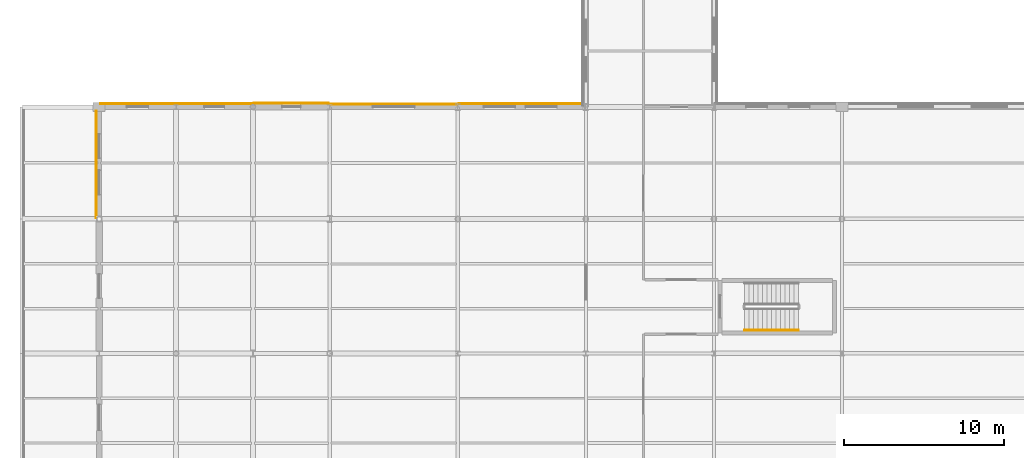
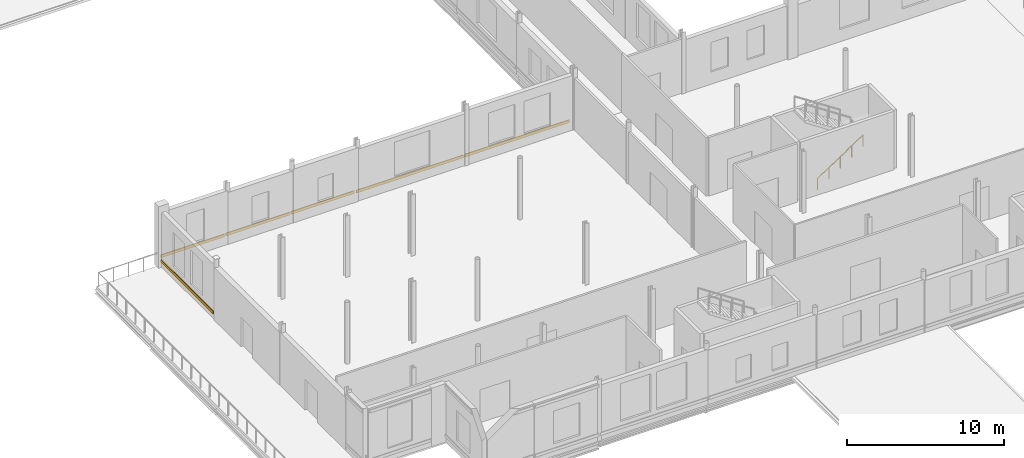
# One storey, part 111 of 120: 6 coverings, 1 railing.
"""IFC4 building model written with IfcOpenShell, lengths in metres."""

from ifc_helpers import new_model, si_unit, direction, frame, origin, origin_2d, place, context, subcontext, project, spatial, rectangle, circle, extrude, material, layer, layer_set, type_object, element, save


model = new_model("IFC4")

# Units and contexts
model_context = context("Model", 3, precision=1e-05, world=origin(), true_north=direction((0.0, 1.0)))
body_context = subcontext(model_context, "Body", "Model", "MODEL_VIEW")
ifc_project = project(units=[si_unit("LENGTHUNIT", "METRE"), si_unit("AREAUNIT", "SQUARE_METRE"), si_unit("VOLUMEUNIT", "CUBIC_METRE"), si_unit("PLANEANGLEUNIT", "RADIAN"), si_unit("MASSUNIT", "GRAM", prefix="KILO")], contexts=[model_context])

# Site, building, storey
site_placement = place(None, origin())
site = spatial("IfcSite", under=ifc_project, at=site_placement, CompositionType="ELEMENT")
building_placement = place(site_placement, origin())
building = spatial("IfcBuilding", under=site, at=building_placement, Name="Vekula Escarpment Museum", CompositionType="ELEMENT")
storey_placement = place(building_placement, frame((0.0, 0.0, 13.199951171875)))
storey = spatial("IfcBuildingStorey", under=building, at=storey_placement, Name="L03", CompositionType="ELEMENT", Elevation=13.199951171875)

# Coverings
ifc_material_1 = material(Name="Polychrome limestone almasik string-course band", Category="masonry")
ifc_layer = layer(ifc_material_1, 0.06005859375)
ifc_layer_set = layer_set([ifc_layer], Name="Polychrome limestone almasik string-course band")
covering_type = type_object("IfcCoveringType", Name="COV-ALM-BAND", PredefinedType="CLADDING", material=ifc_layer_set)
covering_1_placement = place(storey_placement, frame((35.910400390625, 83.5859375, 0.41015625), z_axis=(0.0, 0.0, 1.0), x_axis=(1.0, 0.0, 0.0)))
element("IfcCovering", 1, at=covering_1_placement, inside=storey, type_object=covering_type, Name="Almasik Stone String Course L03-0565", PredefinedType="CLADDING", context=body_context, shape_type="SweptSolid", body=[
    extrude(rectangle(XDim=7.700927734375, YDim=0.06005859375, at=origin_2d()), origin(), (0.0, 0.0, 1.0), 0.219970703125),
])
covering_2_placement = place(storey_placement, frame((28.0, 83.575927734375, 0.41015625), z_axis=(0.0, 0.0, 1.0), x_axis=(1.0, 0.0, 0.0)))
element("IfcCovering", 2, at=covering_2_placement, inside=storey, type_object=covering_type, Name="Almasik Stone String Course L03-0566", PredefinedType="CLADDING", context=body_context, shape_type="SweptSolid", body=[
    extrude(rectangle(XDim=7.8798828125, YDim=0.06005859375, at=origin_2d()), origin(), (0.0, 0.0, 1.0), 0.219970703125),
])
for number, where, z_axis, x_axis, name in (
    (3, (21.60009765625, 83.615966796875, 0.41015625), (0.0, 0.0, 1.0), (1.0, 0.0, 0.0), "Almasik Stone String Course L03-0567"),
    (4, (16.800048828125, 83.60107421875, 0.41015625), (0.0, 0.0, 1.0), (1.0, 0.0, 0.0), "Almasik Stone String Course L03-0568"),
    (5, (12.0, 83.5859375, 0.41015625), (0.0, 0.0, 1.0), (1.0, 0.0, 0.0), "Almasik Stone String Course L03-0569"),
):
    element("IfcCovering", number, at=place(storey_placement, frame(where, z_axis=z_axis, x_axis=x_axis)), inside=storey, type_object=covering_type, Name=name, PredefinedType="CLADDING", context=body_context, shape_type="SweptSolid", body=[
        extrude(rectangle(XDim=4.679931640625, YDim=0.06005859375, at=origin_2d()), origin(), (0.0, 0.0, 1.0), 0.219970703125),
    ])
covering_3_placement = place(storey_placement, frame((9.424072265625, 79.818115234375, 0.41015625), z_axis=(0.0, 0.0, 1.0), x_axis=(0.0, 1.0, 0.0)))
element("IfcCovering", 6, at=covering_3_placement, inside=storey, type_object=covering_type, Name="Almasik Stone String Course L03-0570", PredefinedType="CLADDING", context=body_context, shape_type="SweptSolid", body=[
    extrude(rectangle(XDim=6.716064453125, YDim=0.06005859375, at=origin_2d()), origin(), (0.0, 0.0, 1.0), 0.219970703125),
])

# Railing
ifc_material_2 = material(Name="Brushed stainless steel handrail", Category="steel")
railing_type = type_object("IfcRailingType", Name="RL-STAIR-HAND", PredefinedType="HANDRAIL", material=ifc_material_2)
railing_placement = place(storey_placement, frame((49.919921875, 69.449951171875, 0.1845703125)))
element("IfcRailing", 7, at=railing_placement, inside=storey, type_object=railing_type, Name="L03 ST-10 stair handrail 1", PredefinedType="HANDRAIL", context=body_context, shape_type="SweptSolid", body=[
    extrude(circle(Radius=0.02392578125, at=origin_2d()), frame((0.0, 0.0, 0.8759765625), z_axis=(0.834848600103, 0.0, 0.550479622607), x_axis=(0.0, 1.0, 0.0)), (0.0, 0.0, 1.0), 4.02490234375),
    extrude(circle(Radius=0.02099609375, at=origin_2d()), origin(), (0.0, 0.0, 1.0), 0.851806640625),
    extrude(circle(Radius=0.02099609375, at=origin_2d()), frame((0.840087890625, 0.0, 0.553955078125)), (0.0, 0.0, 1.0), 0.851806640625),
    extrude(circle(Radius=0.02099609375, at=origin_2d()), frame((1.68017578125, 0.0, 1.10791015625)), (0.0, 0.0, 1.0), 0.851806640625),
    extrude(circle(Radius=0.02099609375, at=origin_2d()), frame((2.52001953125, 0.0, 1.66162109375)), (0.0, 0.0, 1.0), 0.851806640625),
    extrude(circle(Radius=0.02099609375, at=origin_2d()), frame((3.360107421875, 0.0, 2.215576171875)), (0.0, 0.0, 1.0), 0.851806640625),
])

save(model, "model.ifc")
